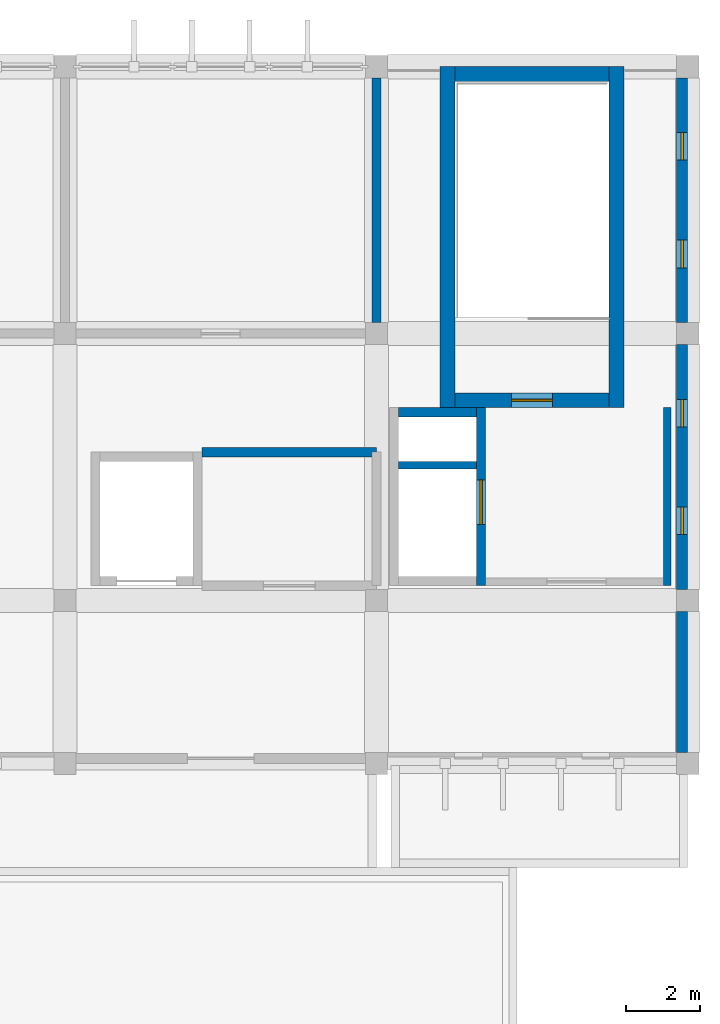
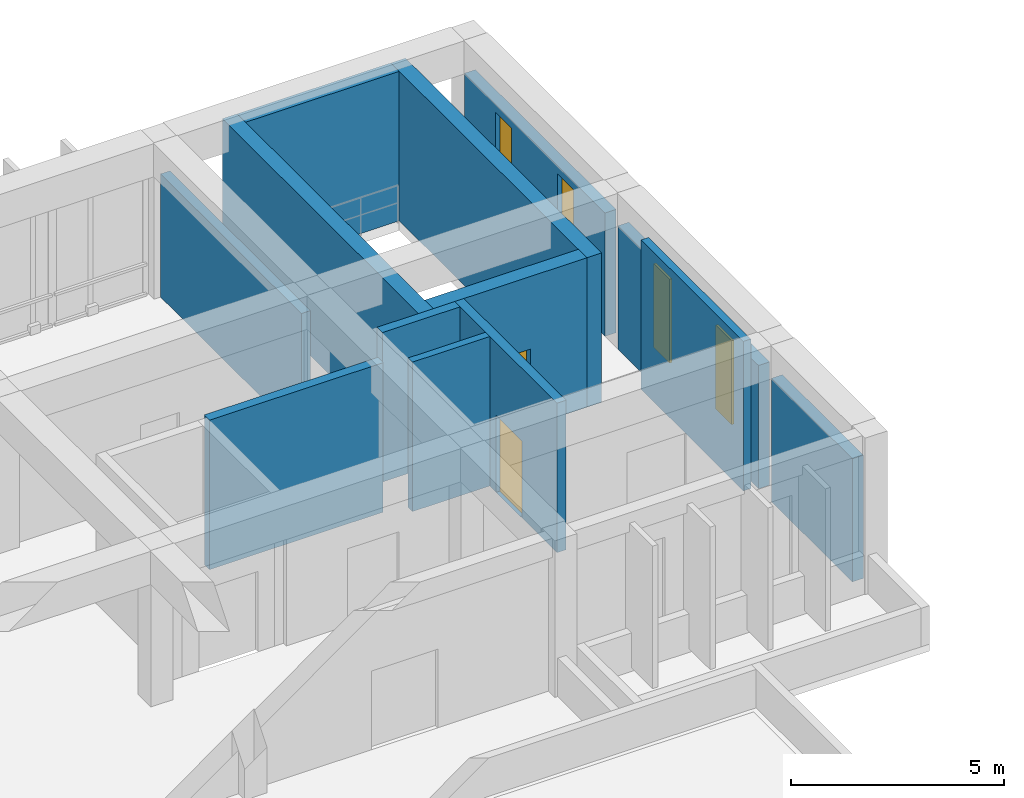
# One storey, part 14 of 16: 13 walls, 4 windows, 2 doors, 6 openings.
"""IFC4 building model written with IfcOpenShell, lengths in metres."""

from ifc_helpers import new_model, si_unit, direction, frame, frame_2d, origin, place, context, subcontext, project, spatial, rectangle, extrude, material, layer, layer_set, type_object, element, fill, save


model = new_model("IFC4")

# Units and contexts
model_context = context("Model", 3, precision=1e-05, world=origin(), true_north=direction((0.0, 1.0)))
body_context = subcontext(model_context, "Body", "Model", "MODEL_VIEW")
ifc_project = project(units=[si_unit("LENGTHUNIT", "METRE"), si_unit("AREAUNIT", "SQUARE_METRE"), si_unit("VOLUMEUNIT", "CUBIC_METRE"), si_unit("PLANEANGLEUNIT", "RADIAN"), si_unit("MASSUNIT", "GRAM", prefix="KILO")], contexts=[model_context])

# Site, building, storey
site_placement = place(None, origin())
site = spatial("IfcSite", under=ifc_project, at=site_placement, CompositionType="ELEMENT")
building_placement = place(site_placement, origin())
building = spatial("IfcBuilding", under=site, at=building_placement, Name="Kenerak Square Central Library", CompositionType="ELEMENT")
storey_placement = place(building_placement, frame((0.0, 0.0, 27.840087890625)))
storey = spatial("IfcBuildingStorey", under=building, at=storey_placement, Name="L06", CompositionType="ELEMENT", Elevation=27.840087890625)

# Walls
ifc_material_1 = material(Name="Concrete C40/50", Category="concrete")
ifc_layer_1 = layer(ifc_material_1, 0.25)
ifc_layer_set_1 = layer_set([ifc_layer_1], Name="Concrete C40/50")
wall_type_1 = type_object("IfcWallType", Name="Archive Compartment Wall IW-250 C40/50", PredefinedType="SOLIDWALL", material=ifc_layer_set_1)
wall_1_placement = place(storey_placement, frame((108.800048828125, 110.10009765625, 0.0), z_axis=(0.0, 0.0, 1.0), x_axis=(0.0, -1.0, 0.0)))
element("IfcWall", 1, at=wall_1_placement, inside=storey, type_object=wall_type_1, Name="Interior Wall IW-L06-03-E4-B1", PredefinedType="SOLIDWALL", context=body_context, shape_type="SweptSolid", body=[
    extrude(rectangle(XDim=6.60009765625, YDim=0.25, at=frame_2d((3.300048828125, 0.0))), origin(), (0.0, 0.0, 1.0), 3.530029296875),
])
wall_2_placement = place(storey_placement, frame((104.10009765625, 100.0, 0.0), z_axis=(0.0, 0.0, 1.0), x_axis=(1.0, 0.0, 0.0)))
element("IfcWall", 2, at=wall_2_placement, inside=storey, type_object=wall_type_1, Name="Interior Wall IW-L06-05-N2-B1", PredefinedType="SOLIDWALL", context=body_context, shape_type="SweptSolid", body=[
    extrude(rectangle(XDim=4.699951171875, YDim=0.25, at=frame_2d((2.35009765625, 0.0))), origin(), (0.0, 0.0, 1.0), 4.280029296875),
])

# Wall, openings, windows
ifc_layer_2 = layer(ifc_material_1, 0.300048828125)
ifc_layer_set_2 = layer_set([ifc_layer_2], Name="Concrete C40/50")
wall_type_2 = type_object("IfcWallType", Name="Board-Marked Brutalist Facade Wall EW-300 C40/50", PredefinedType="SOLIDWALL", material=ifc_layer_set_2)
wall_3_placement = place(storey_placement, frame((117.050048828125, 110.10009765625, 0.0), z_axis=(0.0, 0.0, 1.0), x_axis=(0.0, -1.0, 0.0)))
wall_3 = element("IfcWall", 3, at=wall_3_placement, inside=storey, type_object=wall_type_2, Name="Exterior Facade Wall L06 0268", PredefinedType="SOLIDWALL", context=body_context, shape_type="SweptSolid", body=[
    extrude(rectangle(XDim=6.60009765625, YDim=0.300048828125, at=frame_2d((3.300048828125, 0.0))), origin(), (0.0, 0.0, 1.0), 3.530029296875),
])
opening_1_placement = place(wall_3_placement, frame((1.472900390625, 0.0, 0.89990234375)))
opening_1 = element("IfcOpeningElement", 4, at=opening_1_placement, cuts=wall_3, Name="Opening W-02", PredefinedType="OPENING", context=body_context, shape_type="SweptSolid", body=[
    extrude(rectangle(XDim=0.75, YDim=2.39990234375, at=frame_2d((0.375, 1.199951171875))), frame((0.0, 0.159912109375, 0.0), z_axis=(0.0, -1.0, 0.0), x_axis=(1.0, 0.0, 0.0)), (0.0, 0.0, 1.0), 0.320068359375),
])
opening_2_placement = place(wall_3_placement, frame((4.376953125, 0.0, 0.89990234375)))
opening_2 = element("IfcOpeningElement", 5, at=opening_2_placement, cuts=wall_3, Name="Opening W-02", PredefinedType="OPENING", context=body_context, shape_type="SweptSolid", body=[
    extrude(rectangle(XDim=0.75, YDim=2.39990234375, at=frame_2d((0.375, 1.199951171875))), frame((0.0, 0.159912109375, 0.0), z_axis=(0.0, -1.0, 0.0), x_axis=(1.0, 0.0, 0.0)), (0.0, 0.0, 1.0), 0.320068359375),
])
ifc_material_2 = material(Name="Solar-control low-E laminated double glazing", Category="glass")
window_type = type_object("IfcWindowType", Name="Archive Narrow Slot Window W-02 750x2400", PartitioningType="SINGLE_PANEL", PredefinedType="WINDOW", material=ifc_material_2)
window_1_placement = place(opening_1_placement, origin())
window_1 = element("IfcWindow", 6, at=window_1_placement, inside=storey, type_object=window_type, Name="Window W-02 L06 0306", OverallHeight=2.39990234375, OverallWidth=0.75, PartitioningType="SINGLE_PANEL", PredefinedType="WINDOW", context=body_context, shape_type="SweptSolid", body=[
    extrude(rectangle(XDim=0.75, YDim=2.39990234375, at=frame_2d((0.375, 1.199951171875))), frame((0.0, 0.030029296875, 0.0), z_axis=(0.0, -1.0, 0.0), x_axis=(1.0, 0.0, 0.0)), (0.0, 0.0, 1.0), 0.06005859375),
])
fill(opening_1, window_1)
window_2_placement = place(opening_2_placement, origin())
window_2 = element("IfcWindow", 7, at=window_2_placement, inside=storey, type_object=window_type, Name="Window W-02 L06 0307", OverallHeight=2.39990234375, OverallWidth=0.75, PartitioningType="SINGLE_PANEL", PredefinedType="WINDOW", context=body_context, shape_type="SweptSolid", body=[
    extrude(rectangle(XDim=0.75, YDim=2.39990234375, at=frame_2d((0.375, 1.199951171875))), frame((0.0, 0.030029296875, 0.0), z_axis=(0.0, -1.0, 0.0), x_axis=(1.0, 0.0, 0.0)), (0.0, 0.0, 1.0), 0.06005859375),
])
fill(opening_2, window_2)

wall_4_placement = place(storey_placement, frame((117.050048828125, 102.89990234375, 0.0), z_axis=(0.0, 0.0, 1.0), x_axis=(0.0, -1.0, 0.0)))
wall_4 = element("IfcWall", 8, at=wall_4_placement, inside=storey, type_object=wall_type_2, Name="Exterior Facade Wall L06 0269", PredefinedType="SOLIDWALL", context=body_context, shape_type="SweptSolid", body=[
    extrude(rectangle(XDim=6.599853515625, YDim=0.300048828125, at=frame_2d((3.2998046875, 0.0))), origin(), (0.0, 0.0, 1.0), 3.530029296875),
])
opening_3_placement = place(wall_4_placement, frame((1.472900390625, 0.0, 0.89990234375)))
opening_3 = element("IfcOpeningElement", 9, at=opening_3_placement, cuts=wall_4, Name="Opening W-02", PredefinedType="OPENING", context=body_context, shape_type="SweptSolid", body=[
    extrude(rectangle(XDim=0.75, YDim=2.39990234375, at=frame_2d((0.375, 1.199951171875))), frame((0.0, 0.159912109375, 0.0), z_axis=(0.0, -1.0, 0.0), x_axis=(1.0, 0.0, 0.0)), (0.0, 0.0, 1.0), 0.320068359375),
])
opening_4_placement = place(wall_4_placement, frame((4.376953125, 0.0, 0.89990234375)))
opening_4 = element("IfcOpeningElement", 10, at=opening_4_placement, cuts=wall_4, Name="Opening W-02", PredefinedType="OPENING", context=body_context, shape_type="SweptSolid", body=[
    extrude(rectangle(XDim=0.75, YDim=2.39990234375, at=frame_2d((0.375, 1.199951171875))), frame((0.0, 0.159912109375, 0.0), z_axis=(0.0, -1.0, 0.0), x_axis=(1.0, 0.0, 0.0)), (0.0, 0.0, 1.0), 0.320068359375),
])
window_3_placement = place(opening_3_placement, origin())
window_3 = element("IfcWindow", 11, at=window_3_placement, inside=storey, type_object=window_type, Name="Window W-02 L06 0308", OverallHeight=2.39990234375, OverallWidth=0.75, PartitioningType="SINGLE_PANEL", PredefinedType="WINDOW", context=body_context, shape_type="SweptSolid", body=[
    extrude(rectangle(XDim=0.75, YDim=2.39990234375, at=frame_2d((0.375, 1.199951171875))), frame((0.0, 0.030029296875, 0.0), z_axis=(0.0, -1.0, 0.0), x_axis=(1.0, 0.0, 0.0)), (0.0, 0.0, 1.0), 0.06005859375),
])
fill(opening_3, window_3)
window_4_placement = place(opening_4_placement, origin())
window_4 = element("IfcWindow", 12, at=window_4_placement, inside=storey, type_object=window_type, Name="Window W-02 L06 0309", OverallHeight=2.39990234375, OverallWidth=0.75, PartitioningType="SINGLE_PANEL", PredefinedType="WINDOW", context=body_context, shape_type="SweptSolid", body=[
    extrude(rectangle(XDim=0.75, YDim=2.39990234375, at=frame_2d((0.375, 1.199951171875))), frame((0.0, 0.030029296875, 0.0), z_axis=(0.0, -1.0, 0.0), x_axis=(1.0, 0.0, 0.0)), (0.0, 0.0, 1.0), 0.06005859375),
])
fill(opening_4, window_4)

# Walls
wall_5_placement = place(storey_placement, frame((117.050048828125, 95.699951171875, 0.0), z_axis=(0.0, 0.0, 1.0), x_axis=(0.0, -1.0, 0.0)))
element("IfcWall", 13, at=wall_5_placement, inside=storey, type_object=wall_type_2, Name="Exterior Facade Wall L06 0270", PredefinedType="SOLIDWALL", context=body_context, shape_type="SweptSolid", body=[
    extrude(rectangle(XDim=3.800048828125, YDim=0.300048828125, at=frame_2d((1.89990234375, 0.0))), origin(), (0.0, 0.0, 1.0), 3.530029296875),
])
ifc_layer_3 = layer(ifc_material_1, 0.39990234375)
ifc_layer_set_3 = layer_set([ifc_layer_3], Name="Concrete C40/50")
wall_type_3 = type_object("IfcWallType", Name="Core Shear Wall CW-400 C40/50", PredefinedType="SHEAR", material=ifc_layer_set_3)
for number, where, z_axis, x_axis, name in (
    (14, (110.719970703125, 101.199951171875, 0.0), (0.0, 0.0, 1.0), (0.0, 1.0, 0.0), "Core Wall CW-C3 L06 West"),
    (15, (115.280029296875, 110.39990234375, 0.0), (0.0, 0.0, 1.0), (0.0, -1.0, 0.0), "Core Wall CW-C3 L06 East"),
):
    element("IfcWall", number, at=place(storey_placement, frame(where, z_axis=z_axis, x_axis=x_axis)), inside=storey, type_object=wall_type_3, Name=name, PredefinedType="SHEAR", context=body_context, shape_type="SweptSolid", body=[
        extrude(rectangle(XDim=9.199951171875, YDim=0.39990234375, at=frame_2d((4.60009765625, 0.0))), origin(), (0.0, 0.0, 1.0), 4.280029296875),
    ])

# Wall, opening, door
wall_6_placement = place(storey_placement, frame((115.080078125, 101.39990234375, 0.0), z_axis=(0.0, 0.0, 1.0), x_axis=(-1.0, 0.0, 0.0)))
wall_6 = element("IfcWall", 16, at=wall_6_placement, inside=storey, type_object=wall_type_3, Name="Core Wall CW-C3 L06 South", PredefinedType="SHEAR", context=body_context, shape_type="SweptSolid", body=[
    extrude(rectangle(XDim=4.16015625, YDim=0.39990234375, at=frame_2d((2.080078125, 0.0))), origin(), (0.0, 0.0, 1.0), 4.280029296875),
])
opening_5_placement = place(wall_6_placement, frame((1.530029296875, 0.0, 0.0)))
opening_5 = element("IfcOpeningElement", 17, at=opening_5_placement, cuts=wall_6, Name="Opening D-ST1", PredefinedType="OPENING", context=body_context, shape_type="SweptSolid", body=[
    extrude(rectangle(XDim=1.10009765625, YDim=2.199951171875, at=frame_2d((0.550048828125, 1.10009765625))), frame((0.0, 0.2099609375, 0.0), z_axis=(0.0, -1.0, 0.0), x_axis=(1.0, 0.0, 0.0)), (0.0, 0.0, 1.0), 0.419921875),
])
ifc_material_3 = material(Name="Steel S355", Category="steel")
door_type_1 = type_object("IfcDoorType", Name="Protected Stair Fire Door FD-1100x2200 FD60S", OperationType="NOTDEFINED", PredefinedType="DOOR", material=ifc_material_3)
door_1_placement = place(opening_5_placement, frame((1.10009765625, 0.0, 0.0), z_axis=(0.0, 0.0, 1.0), x_axis=(-1.0, 0.0, 0.0)))
door_1 = element("IfcDoor", 18, at=door_1_placement, inside=storey, type_object=door_type_1, Name="Stair Door ST-03 L06", OperationType="SINGLE_SWING_LEFT", OverallHeight=2.199951171875, OverallWidth=1.10009765625, PredefinedType="DOOR", context=body_context, shape_type="SweptSolid", body=[
    extrude(rectangle(XDim=1.10009765625, YDim=2.199951171875, at=frame_2d((0.550048828125, 1.10009765625))), frame((0.0, 0.02490234375, 0.0), z_axis=(0.0, -1.0, 0.0), x_axis=(1.0, 0.0, 0.0)), (0.0, 0.0, 1.0), 0.050048828125),
])
fill(opening_5, door_1)

# Walls
wall_7_placement = place(storey_placement, frame((110.919921875, 110.199951171875, 0.0), z_axis=(0.0, 0.0, 1.0), x_axis=(1.0, 0.0, 0.0)))
element("IfcWall", 19, at=wall_7_placement, inside=storey, type_object=wall_type_3, Name="Core Wall CW-C3 L06 North", PredefinedType="SHEAR", context=body_context, shape_type="SweptSolid", body=[
    extrude(rectangle(XDim=4.16015625, YDim=0.39990234375, at=frame_2d((2.080078125, 0.0))), origin(), (0.0, 0.0, 1.0), 4.280029296875),
])
ifc_layer_4 = layer(ifc_material_1, 0.199951171875)
ifc_layer_set_4 = layer_set([ifc_layer_4], Name="Concrete C40/50")
wall_type_4 = type_object("IfcWallType", Name="Lobby Compartment Wall LW-200 C40/50", PredefinedType="SOLIDWALL", material=ifc_layer_set_4)
wall_8_placement = place(storey_placement, frame((109.39990234375, 99.64990234375, 0.0), z_axis=(0.0, 0.0, 1.0), x_axis=(1.0, 0.0, 0.0)))
element("IfcWall", 20, at=wall_8_placement, inside=storey, type_object=wall_type_4, Name="Riser Divider Wall C3 L06", PredefinedType="SOLIDWALL", context=body_context, shape_type="SweptSolid", body=[
    extrude(rectangle(XDim=2.10009765625, YDim=0.199951171875, at=frame_2d((1.050048828125, 0.0))), origin(), (0.0, 0.0, 1.0), 4.280029296875),
])
wall_9_placement = place(storey_placement, frame((116.64990234375, 101.199951171875, 0.0), z_axis=(0.0, 0.0, 1.0), x_axis=(0.0, -1.0, 0.0)))
element("IfcWall", 21, at=wall_9_placement, inside=storey, type_object=wall_type_4, Name="Firefighting Lobby East Wall C3 L06", PredefinedType="SOLIDWALL", context=body_context, shape_type="SweptSolid", body=[
    extrude(rectangle(XDim=4.800048828125, YDim=0.199951171875, at=frame_2d((2.39990234375, 0.0))), origin(), (0.0, 0.0, 1.0), 4.280029296875),
])

# Wall, opening, door
ifc_layer_5 = layer(ifc_material_1, 0.25)
ifc_layer_set_5 = layer_set([ifc_layer_5], Name="Concrete C40/50")
wall_type_5 = type_object("IfcWallType", Name="Shaft Enclosure Wall SW-250 C40/50", PredefinedType="SOLIDWALL", material=ifc_layer_set_5)
wall_10_placement = place(storey_placement, frame((111.625, 101.199951171875, 0.0), z_axis=(0.0, 0.0, 1.0), x_axis=(0.0, -1.0, 0.0)))
wall_10 = element("IfcWall", 22, at=wall_10_placement, inside=storey, type_object=wall_type_5, Name="Core Wall FLW-C3 L06 East", PredefinedType="SOLIDWALL", context=body_context, shape_type="SweptSolid", body=[
    extrude(rectangle(XDim=4.800048828125, YDim=0.25, at=frame_2d((2.39990234375, 0.0))), origin(), (0.0, 0.0, 1.0), 4.280029296875),
])
opening_6_placement = place(wall_10_placement, frame((1.949951171875, 0.0, 0.0)))
opening_6 = element("IfcOpeningElement", 23, at=opening_6_placement, cuts=wall_10, Name="Opening LD-FL", PredefinedType="OPENING", context=body_context, shape_type="SweptSolid", body=[
    extrude(rectangle(XDim=1.199951171875, YDim=2.199951171875, at=frame_2d((0.60009765625, 1.10009765625))), frame((0.0, 0.135009765625, 0.0), z_axis=(0.0, -1.0, 0.0), x_axis=(1.0, 0.0, 0.0)), (0.0, 0.0, 1.0), 0.27001953125),
])
door_type_2 = type_object("IfcDoorType", Name="Firefighting Lift Sliding Landing Door LD-1200x2200 FD120S", OperationType="NOTDEFINED", PredefinedType="DOOR", material=ifc_material_3)
door_2_placement = place(opening_6_placement, origin())
door_2 = element("IfcDoor", 24, at=door_2_placement, inside=storey, type_object=door_type_2, Name="Firefighting Lift Landing Door FL-03 L06", OperationType="SLIDING_TO_LEFT", OverallHeight=2.199951171875, OverallWidth=1.199951171875, PredefinedType="DOOR", context=body_context, shape_type="SweptSolid", body=[
    extrude(rectangle(XDim=1.199951171875, YDim=2.199951171875, at=frame_2d((0.60009765625, 1.10009765625))), frame((0.0, 0.02490234375, 0.0), z_axis=(0.0, -1.0, 0.0), x_axis=(1.0, 0.0, 0.0)), (0.0, 0.0, 1.0), 0.050048828125),
])
fill(opening_6, door_2)

# Wall
wall_11_placement = place(storey_placement, frame((109.39990234375, 101.074951171875, 0.0), z_axis=(0.0, 0.0, 1.0), x_axis=(1.0, 0.0, 0.0)))
element("IfcWall", 25, at=wall_11_placement, inside=storey, type_object=wall_type_5, Name="Core Wall FLW-C3 L06 North", PredefinedType="SOLIDWALL", context=body_context, shape_type="SweptSolid", body=[
    extrude(rectangle(XDim=2.10009765625, YDim=0.25, at=frame_2d((1.050048828125, 0.0))), origin(), (0.0, 0.0, 1.0), 4.280029296875),
])

save(model, "model.ifc")
